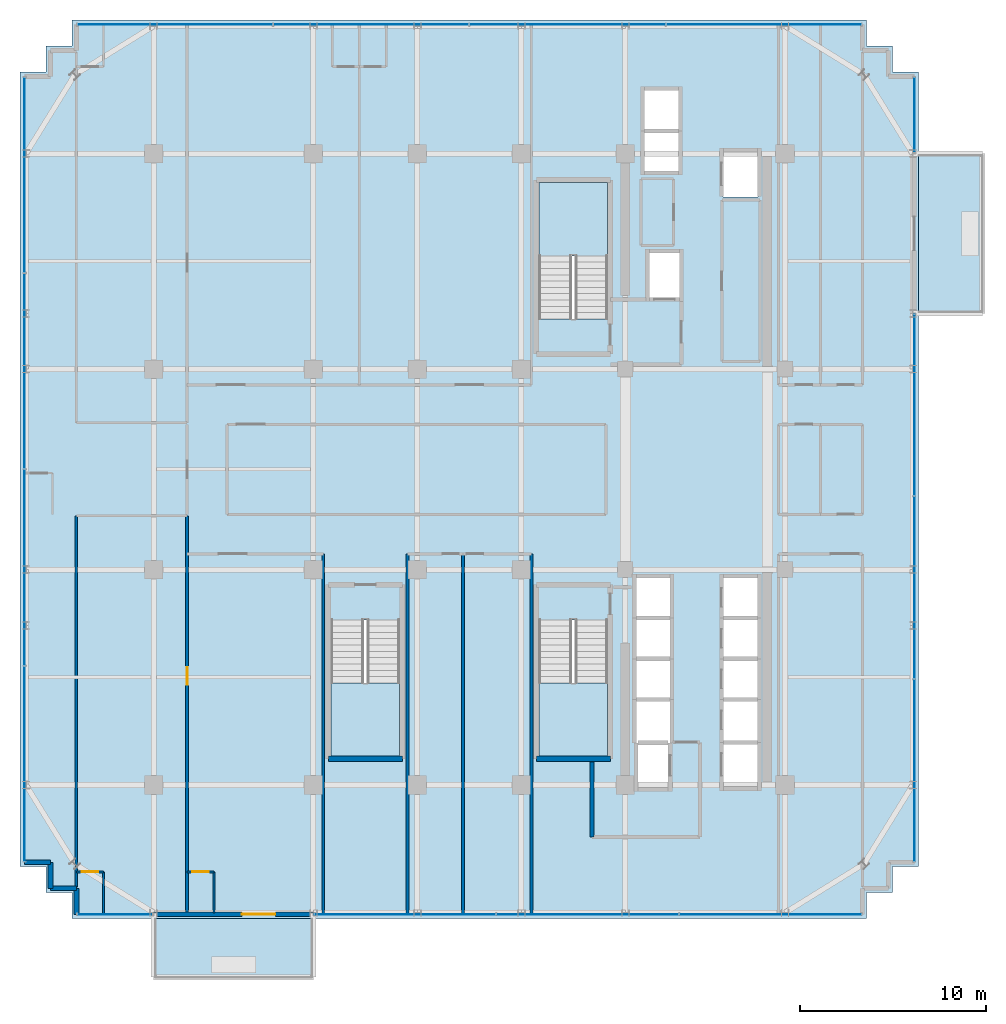
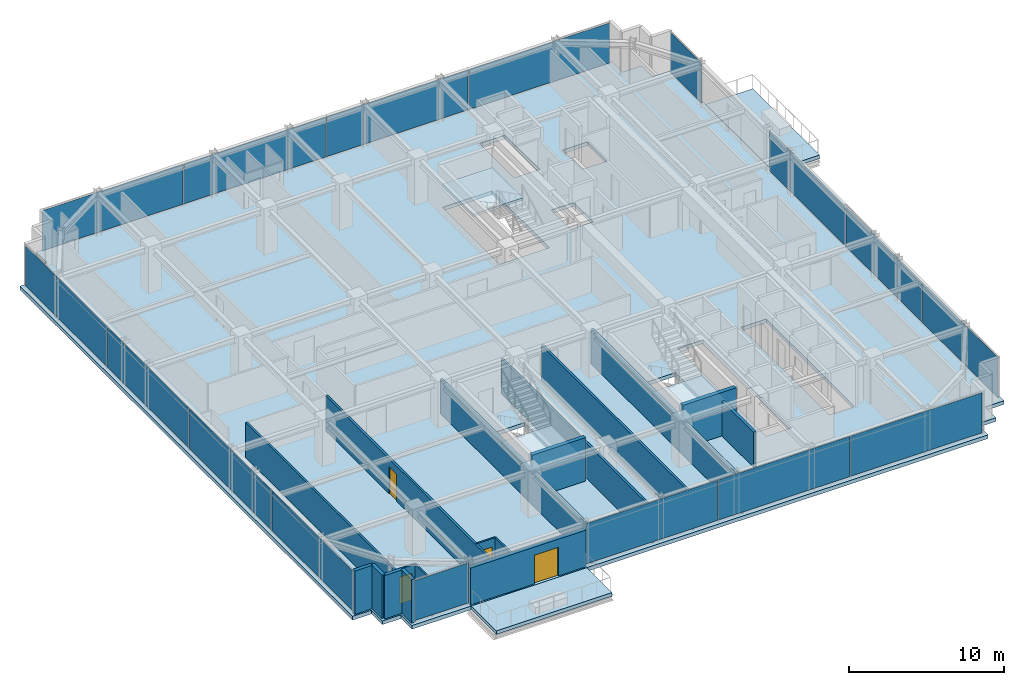
# One storey, part 27 of 34: 18 walls, 16 plates, 6 slabs, 4 doors, 4 openings, 9 elements without a shape of their own.
"""IFC4 building model written with IfcOpenShell, lengths in metres."""

import ifcopenshell
import ifcopenshell.guid

model = None  # the IFC model being written
_history = None  # IfcOwnerHistory: only IFC2X3 demands one
_inside = {}  # id of a spatial element -> (the spatial element, [elements in it])
_under = {}  # id of a project, library or spatial element -> (it, [spatial elements below it])
_declared = {}  # id of a project -> (the project, [libraries it declares])
_typed = {}  # id of a type object -> (the type object, [elements of that type])
_made_of = {}  # id of a material, layer set ... -> (it, [elements and type objects made of it])


def new_model(schema):
    """Start an empty IFC model of exactly this schema.

    Asked for "IFC4X3", IfcOpenShell would pick the latest addendum, in which some entities
    have other attributes; the version numbers below select the first issue.
    IFC2X3 requires an IfcOwnerHistory on every rooted entity: one is made here for all.
    """
    global model, _history
    if schema == "IFC4X3":
        model = ifcopenshell.file(schema_version=(4, 3, 0, 0))
    else:
        model = ifcopenshell.file(schema=schema)
    _inside.clear()
    _under.clear()
    _declared.clear()
    _typed.clear()
    _made_of.clear()
    _history = None
    if model.schema == "IFC2X3":
        org = make("IfcOrganization", Name="unknown")
        user = make(
            "IfcPersonAndOrganization",
            ThePerson=make("IfcPerson", FamilyName="unknown"),
            TheOrganization=org,
        )
        app = make(
            "IfcApplication",
            ApplicationDeveloper=org,
            Version="unknown",
            ApplicationFullName="unknown",
            ApplicationIdentifier="unknown",
        )
        _history = make(
            "IfcOwnerHistory",
            OwningUser=user,
            OwningApplication=app,
            ChangeAction="ADDED",
            CreationDate=0,
        )
    return model


def make(cls, **values):
    """One entity of the class cls with the attributes given. An attribute that is None is left unset."""
    return model.create_entity(
        cls, **{name: value for name, value in values.items() if value is not None}
    )


def rooted(cls, **values):
    """An entity with a GlobalId (a new one), such as an element, a storey or a relation."""
    return make(cls, GlobalId=ifcopenshell.guid.new(), OwnerHistory=_history, **values)


def si_unit(unit_type, name, prefix=None):
    """IfcSIUnit, for example si_unit("LENGTHUNIT", "METRE", prefix="MILLI")."""
    return make("IfcSIUnit", UnitType=unit_type, Prefix=prefix, Name=name)


def assignment(units):
    """IfcUnitAssignment: the units of a project."""
    return None if units is None else make("IfcUnitAssignment", Units=units)


def point(xyz):
    """IfcCartesianPoint."""
    return None if xyz is None else make("IfcCartesianPoint", Coordinates=xyz)


def direction(xyz):
    """IfcDirection."""
    return None if xyz is None else make("IfcDirection", DirectionRatios=xyz)


def frame(location, z_axis=None, x_axis=None):
    """IfcAxis2Placement3D, a coordinate frame: its origin and axes. An axis left out is left unset."""
    return make(
        "IfcAxis2Placement3D",
        Location=point(location),
        Axis=direction(z_axis),
        RefDirection=direction(x_axis),
    )


def frame_2d(location, x_axis=None):
    """IfcAxis2Placement2D, a coordinate frame in the plane: its origin and x axis."""
    return make(
        "IfcAxis2Placement2D", Location=point(location), RefDirection=direction(x_axis)
    )


def origin():
    """The frame at (0, 0, 0) with its axes left unset."""
    return frame((0.0, 0.0, 0.0))


def origin_2d():
    """The frame at (0, 0) in the plane with its x axis left unset."""
    return frame_2d((0.0, 0.0))


def place(relative_to, where):
    """IfcLocalPlacement: puts the frame where relative to a parent placement (None: the world)."""
    return make(
        "IfcLocalPlacement", PlacementRelTo=relative_to, RelativePlacement=where
    )


def context(
    kind, dimensions, precision=None, world=None, true_north=None, identifier=None
):
    """IfcGeometricRepresentationContext, for example the 3D "Model" context."""
    return make(
        "IfcGeometricRepresentationContext",
        ContextIdentifier=identifier,
        ContextType=kind,
        CoordinateSpaceDimension=dimensions,
        Precision=precision,
        WorldCoordinateSystem=world,
        TrueNorth=true_north,
    )


def subcontext(parent, identifier, kind, view, scale=None):
    """IfcGeometricRepresentationSubContext, for example "Body" below "Model"."""
    return make(
        "IfcGeometricRepresentationSubContext",
        ContextIdentifier=identifier,
        ContextType=kind,
        ParentContext=parent,
        TargetScale=scale,
        TargetView=view,
    )


def project(units=None, contexts=None):
    """IfcProject with its units and contexts."""
    return rooted(
        "IfcProject",
        Name="project",
        RepresentationContexts=contexts,
        UnitsInContext=assignment(units),
    )


def spatial(cls, under=None, at=None, **own):
    """A site, building, storey or space (cls), placed at a placement, below another one or the project."""
    s = rooted(cls, ObjectPlacement=at, **own)
    if under is not None:
        _under.setdefault(under.id(), (under, []))[1].append(s)
    return s


def polyline(points):
    """IfcPolyline through the points."""
    return make("IfcPolyline", Points=[point(p) for p in points])


def profile(cls, at=None, kind="AREA", **sizes):
    """A parametric profile (cls). Its sizes go by their IFC names, for example OverallWidth=200.0."""
    return make(cls, ProfileType=kind, Position=at, **sizes)


def rectangle(**sizes):
    """IfcRectangleProfileDef."""
    return profile("IfcRectangleProfileDef", **sizes)


def outline(outer, holes=None, kind="AREA"):
    """IfcArbitraryClosedProfileDef: a profile drawn as a closed curve; with holes, ...WithVoids."""
    if holes is None:
        return make("IfcArbitraryClosedProfileDef", ProfileType=kind, OuterCurve=outer)
    return make(
        "IfcArbitraryProfileDefWithVoids",
        ProfileType=kind,
        OuterCurve=outer,
        InnerCurves=holes,
    )


def extrude(swept, where, along, depth):
    """IfcExtrudedAreaSolid: the profile swept, set in the frame where, extruded along a direction by depth."""
    return make(
        "IfcExtrudedAreaSolid",
        SweptArea=swept,
        Position=where,
        ExtrudedDirection=direction(along),
        Depth=depth,
    )


def shape(context_of_items, identifier, shape_type, items):
    """IfcShapeRepresentation: the items that make up one representation, for example the "Body"."""
    return make(
        "IfcShapeRepresentation",
        ContextOfItems=context_of_items,
        RepresentationIdentifier=identifier,
        RepresentationType=shape_type,
        Items=items,
    )


def source(mapping_origin, context_of_items, identifier, shape_type, items):
    """IfcRepresentationMap: a shape defined once, which mapped items show again and again."""
    return make(
        "IfcRepresentationMap",
        MappingOrigin=mapping_origin,
        MappedRepresentation=shape(context_of_items, identifier, shape_type, items),
    )


def transform(
    local_origin,
    x_axis=None,
    y_axis=None,
    z_axis=None,
    scale=None,
    scale2=None,
    scale3=None,
    uniform=True,
):
    """IfcCartesianTransformationOperator3D, or its non-uniform kind. x_axis, y_axis, z_axis: its Axis1, 2, 3."""
    if uniform:
        return make(
            "IfcCartesianTransformationOperator3D",
            Axis1=direction(x_axis),
            Axis2=direction(y_axis),
            LocalOrigin=point(local_origin),
            Scale=scale,
            Axis3=direction(z_axis),
        )
    return make(
        "IfcCartesianTransformationOperator3DnonUniform",
        Axis1=direction(x_axis),
        Axis2=direction(y_axis),
        LocalOrigin=point(local_origin),
        Scale=scale,
        Axis3=direction(z_axis),
        Scale2=scale2,
        Scale3=scale3,
    )


def mapped(mapping_source, mapping_target):
    """IfcMappedItem: shows the shape of a source again, moved by a transform."""
    return make(
        "IfcMappedItem", MappingSource=mapping_source, MappingTarget=mapping_target
    )


def material(Name=None, Category=None):
    """IfcMaterial."""
    return make("IfcMaterial", Name=Name, Category=Category)


def layer(
    of_material, thickness, ventilated=None, Name=None, Category=None, Priority=None
):
    """IfcMaterialLayer: one layer of a wall or slab, of a material (None: an air gap)."""
    return make(
        "IfcMaterialLayer",
        Material=of_material,
        LayerThickness=thickness,
        IsVentilated=ventilated,
        Name=Name,
        Category=Category,
        Priority=Priority,
    )


def layer_set(layers, Name=None):
    """IfcMaterialLayerSet."""
    return make("IfcMaterialLayerSet", MaterialLayers=layers, LayerSetName=Name)


def made_of(thing, what):
    """Note that an element or type object is made of a material, layer set ...; save() writes the relation."""
    if what is not None:
        _made_of.setdefault(what.id(), (what, []))[1].append(thing)
    return thing


def type_object(cls, material=None, **own):
    """A type object (cls), such as IfcWallType, which elements share."""
    return made_of(rooted(cls, **own), material)


def element(
    cls,
    number,
    at=None,
    inside=None,
    cuts=None,
    type_object=None,
    material=None,
    context=None,
    identifier="Body",
    shape_type=None,
    held_by="IfcProductDefinitionShape",
    body=None,
    shapes=None,
    **own,
):
    """One element of the class cls, such as IfcWall. Its Tag is "e" and its number.

    at: its placement. inside: the storey or other place that contains it. cuts: it is an
    opening in that element (IfcRelVoidsElement). A single representation is given by context,
    identifier, shape_type and body (its items); several are given by shapes. held_by: the class
    of the entity that holds the representations. save() writes the other relations.
    """
    e = rooted(cls, Tag="e%d" % number, ObjectPlacement=at, **own)
    if body is not None:
        shapes = [shape(context, identifier, shape_type, body)]
    if shapes is not None:
        e.Representation = make(held_by, Representations=shapes)
    if inside is not None:
        _inside.setdefault(inside.id(), (inside, []))[1].append(e)
    if cuts is not None:
        rooted(
            "IfcRelVoidsElement", RelatingBuildingElement=cuts, RelatedOpeningElement=e
        )
    if type_object is not None:
        _typed.setdefault(type_object.id(), (type_object, []))[1].append(e)
    return made_of(e, material)


def fill(opening, filler):
    """IfcRelFillsElement: the door or window that sits in an opening."""
    return rooted(
        "IfcRelFillsElement",
        RelatingOpeningElement=opening,
        RelatedBuildingElement=filler,
    )


def aggregate(whole, parts):
    """IfcRelAggregates: a whole, such as a stair, and the parts it consists of."""
    return rooted("IfcRelAggregates", RelatingObject=whole, RelatedObjects=parts)


def save(model, path):
    """Write the relations noted so far, then the file.

    IfcRelAggregates (storeys below a building ...), IfcRelContainedInSpatialStructure (elements
    in a storey), IfcRelDefinesByType, IfcRelAssociatesMaterial and IfcRelDeclares: one each for
    every whole, place, type object, material and project.
    """
    for whole, parts in _under.values():
        aggregate(whole, parts)
    for where, things in _inside.values():
        rooted(
            "IfcRelContainedInSpatialStructure",
            RelatedElements=things,
            RelatingStructure=where,
        )
    for kind, things in _typed.values():
        rooted("IfcRelDefinesByType", RelatedObjects=things, RelatingType=kind)
    for what, things in _made_of.values():
        rooted("IfcRelAssociatesMaterial", RelatedObjects=things, RelatingMaterial=what)
    for by, libraries in _declared.values():
        rooted("IfcRelDeclares", RelatingContext=by, RelatedDefinitions=libraries)
    model.write(path)


model = new_model("IFC4")

# Units and contexts
model_context = context("Model", 3, precision=1e-05, world=origin(), true_north=direction((0.0, 1.0)))
body_context = subcontext(model_context, "Body", "Model", "MODEL_VIEW")
ifc_project = project(units=[si_unit("LENGTHUNIT", "METRE"), si_unit("AREAUNIT", "SQUARE_METRE"), si_unit("VOLUMEUNIT", "CUBIC_METRE"), si_unit("PLANEANGLEUNIT", "RADIAN"), si_unit("MASSUNIT", "GRAM", prefix="KILO")], contexts=[model_context])

# Site, building, storey
site_placement = place(None, origin())
site = spatial("IfcSite", under=ifc_project, at=site_placement, CompositionType="ELEMENT")
building_placement = place(site_placement, origin())
building = spatial("IfcBuilding", under=site, at=building_placement, Name="Nahalor Promenade Grand Hotel", CompositionType="ELEMENT")
storey_placement = place(building_placement, frame((0.0, 0.0, 238.199951171875)))
storey = spatial("IfcBuildingStorey", under=building, at=storey_placement, Name="L61", CompositionType="ELEMENT", Elevation=238.199951171875)

# Stair, slab
ifc_material_1 = material(Name="Concrete B-50 (C40/50)", Category="concrete")
stair_type_1 = type_object("IfcStairType", Name="Stair-ST1", PredefinedType="HALF_TURN_STAIR", material=ifc_material_1)
stair_1_placement = place(storey_placement, origin())
stair_1 = element("IfcStair", 1, at=stair_1_placement, inside=storey, type_object=stair_type_1, Name="L61 ST1", PredefinedType="HALF_TURN_STAIR")
ifc_layer_1 = layer(ifc_material_1, 0.199951171875)
ifc_layer_set_1 = layer_set([ifc_layer_1], Name="Concrete B-50 (C40/50)")
slab_type_1 = type_object("IfcSlabType", Name="Landing-ST1", PredefinedType="LANDING", material=ifc_layer_set_1)
slab_1_placement = place(storey_placement, frame((0.0, 0.0, 1.650146484375)))
slab_1 = element("IfcSlab", 2, at=slab_1_placement, type_object=slab_type_1, Name="ST1 landing 1", PredefinedType="LANDING", context=body_context, shape_type="SweptSolid", body=[
    extrude(outline(polyline([(7.449951171875, 11.5), (7.449951171875, 15.449951171875), (3.75, 15.449951171875), (3.75, 11.5), (7.449951171875, 11.5)])), origin(), (0.0, 0.0, 1.0), 0.199951171875),
])
aggregate(stair_1, [slab_1])

stair_type_2 = type_object("IfcStairType", Name="Stair-ST2", PredefinedType="HALF_TURN_STAIR", material=ifc_material_1)
stair_2_placement = place(storey_placement, origin())
stair_2 = element("IfcStair", 3, at=stair_2_placement, inside=storey, type_object=stair_type_2, Name="L61 ST2", PredefinedType="HALF_TURN_STAIR")
ifc_layer_2 = layer(ifc_material_1, 0.2099609375)
ifc_layer_set_2 = layer_set([ifc_layer_2], Name="Concrete B-50 (C40/50)")
slab_type_2 = type_object("IfcSlabType", Name="Landing-ST2", PredefinedType="LANDING", material=ifc_layer_set_2)
slab_2_placement = place(storey_placement, frame((0.0, 0.0, 1.64013671875)))
slab_2 = element("IfcSlab", 4, at=slab_2_placement, type_object=slab_type_2, Name="ST2 landing 1", PredefinedType="LANDING", context=body_context, shape_type="SweptSolid", body=[
    extrude(outline(polyline([(3.75, -11.5), (3.75, -15.449951171875), (7.449951171875, -15.449951171875), (7.449951171875, -11.5), (3.75, -11.5)])), origin(), (0.0, 0.0, 1.0), 0.2099609375),
])
aggregate(stair_2, [slab_2])

stair_type_3 = type_object("IfcStairType", Name="Stair-ST3", PredefinedType="HALF_TURN_STAIR", material=ifc_material_1)
stair_3_placement = place(storey_placement, origin())
stair_3 = element("IfcStair", 5, at=stair_3_placement, inside=storey, type_object=stair_type_3, Name="L61 ST3", PredefinedType="HALF_TURN_STAIR")
ifc_layer_3 = layer(ifc_material_1, 0.219970703125)
ifc_layer_set_3 = layer_set([ifc_layer_3], Name="Concrete B-50 (C40/50)")
slab_type_3 = type_object("IfcSlabType", Name="Landing-ST3", PredefinedType="LANDING", material=ifc_layer_set_3)
slab_3_placement = place(storey_placement, frame((0.0, 0.0, 1.630126953125)))
slab_3 = element("IfcSlab", 6, at=slab_3_placement, type_object=slab_type_3, Name="ST3 landing 1", PredefinedType="LANDING", context=body_context, shape_type="SweptSolid", body=[
    extrude(outline(polyline([(-7.449951171875, -11.5), (-7.449951171875, -15.449951171875), (-3.75, -15.449951171875), (-3.75, -11.5), (-7.449951171875, -11.5)])), origin(), (0.0, 0.0, 1.0), 0.219970703125),
])
aggregate(stair_3, [slab_3])

# Slabs
ifc_layer_4 = layer(ifc_material_1, 0.280029296875)
ifc_layer_set_4 = layer_set([ifc_layer_4], Name="Concrete B-50 (C40/50)")
slab_type_4 = type_object("IfcSlabType", Name="Slab-Balcony-280", PredefinedType="FLOOR", material=ifc_layer_set_4)
slab_4_placement = place(storey_placement, frame((0.0, 0.0, -0.280029296875)))
element("IfcSlab", 7, at=slab_4_placement, inside=storey, type_object=slab_type_4, Name="L61 Cantilevered Planted Balcony 1", PredefinedType="FLOOR", context=body_context, shape_type="SweptSolid", body=[
    extrude(outline(polyline([(-17.0, -27.429931640625), (-8.39990234375, -27.429931640625), (-8.39990234375, -24.199951171875), (-17.0, -24.199951171875), (-17.0, -27.429931640625)])), origin(), (0.0, 0.0, 1.0), 0.280029296875),
])
slab_5_placement = place(storey_placement, frame((0.0, 0.0, -0.280029296875)))
element("IfcSlab", 8, at=slab_5_placement, inside=storey, type_object=slab_type_4, Name="L61 Cantilevered Planted Balcony 2", PredefinedType="FLOOR", context=body_context, shape_type="SweptSolid", body=[
    extrude(outline(polyline([(24.199951171875, 8.39990234375), (27.7099609375, 8.39990234375), (27.7099609375, 17.0), (24.199951171875, 17.0), (24.199951171875, 8.39990234375)])), origin(), (0.0, 0.0, 1.0), 0.280029296875),
])
ifc_layer_5 = layer(ifc_material_1, 0.2900390625)
ifc_layer_set_5 = layer_set([ifc_layer_5], Name="Concrete B-50 (C40/50)")
slab_type_5 = type_object("IfcSlabType", Name="Slab-TowerZ4-290", PredefinedType="FLOOR", material=ifc_layer_set_5)
slab_6_placement = place(storey_placement, frame((0.0, 0.0, -0.2900390625)))
element("IfcSlab", 9, at=slab_6_placement, inside=storey, type_object=slab_type_5, Name="L61 Suspended Structural Floor Slab", PredefinedType="FLOOR", context=body_context, shape_type="SweptSolid", body=[
    extrude(outline(polyline([(-21.39990234375, -24.199951171875), (21.39990234375, -24.199951171875), (21.39990234375, -22.800048828125), (22.800048828125, -22.800048828125), (22.800048828125, -21.39990234375), (24.199951171875, -21.39990234375), (24.199951171875, 21.39990234375), (22.800048828125, 21.39990234375), (22.800048828125, 22.800048828125), (21.39990234375, 22.800048828125), (21.39990234375, 24.199951171875), (-21.39990234375, 24.199951171875), (-21.39990234375, 22.800048828125), (-22.800048828125, 22.800048828125), (-22.800048828125, 21.39990234375), (-24.199951171875, 21.39990234375), (-24.199951171875, -21.39990234375), (-22.800048828125, -21.39990234375), (-22.800048828125, -22.800048828125), (-21.39990234375, -22.800048828125), (-21.39990234375, -24.199951171875)]), holes=[polyline([(3.75, 8.10009765625), (7.449951171875, 8.10009765625), (7.449951171875, 15.449951171875), (3.75, 15.449951171875), (3.75, 8.10009765625)]), polyline([(3.75, -15.449951171875), (7.449951171875, -15.449951171875), (7.449951171875, -8.10009765625), (3.75, -8.10009765625), (3.75, -15.449951171875)]), polyline([(-7.449951171875, -15.449951171875), (-3.75, -15.449951171875), (-3.75, -8.10009765625), (-7.449951171875, -8.10009765625), (-7.449951171875, -15.449951171875)]), polyline([(13.659912109375, -17.139892578125), (15.5400390625, -17.139892578125), (15.5400390625, -5.81005859375), (13.659912109375, -5.81005859375), (13.659912109375, -17.139892578125)]), polyline([(8.9599609375, -17.18994140625), (10.840087890625, -17.18994140625), (10.840087890625, -5.81005859375), (8.9599609375, -5.81005859375), (8.9599609375, -17.18994140625)]), polyline([(9.409912109375, 16.010009765625), (11.2900390625, 16.010009765625), (11.2900390625, 20.43994140625), (9.409912109375, 20.43994140625), (9.409912109375, 16.010009765625)]), polyline([(9.659912109375, 9.2099609375), (11.340087890625, 9.2099609375), (11.340087890625, 11.68994140625), (9.659912109375, 11.68994140625), (9.659912109375, 9.2099609375)]), polyline([(13.659912109375, 14.659912109375), (15.5400390625, 14.659912109375), (15.5400390625, 17.139892578125), (13.659912109375, 17.139892578125), (13.659912109375, 14.659912109375)])]), origin(), (0.0, 0.0, 1.0), 0.2900390625),
])

# Curtain wall, plates
ifc_material_2 = material(Name="Anodised Bronze Aluminium EN AW-6063 T6", Category="aluminium")
curtain_wall_type = type_object("IfcCurtainWallType", Name="CW2 Typical Hotel Flush Bronze Unitised Curtain Wall", PredefinedType="USERDEFINED", material=ifc_material_2)
curtain_wall_1_placement = place(storey_placement, origin())
curtain_wall_1 = element("IfcCurtainWall", 10, at=curtain_wall_1_placement, inside=storey, type_object=curtain_wall_type, Name="L61 Curtain Wall CW-L61-N-1", ObjectType="UNITISED_CURTAIN_WALL", PredefinedType="USERDEFINED")
ifc_material_3 = material(Name="Low-E Laminated Solar Glass", Category="glass")
ifc_layer_6 = layer(ifc_material_3, 0.028076171875)
ifc_layer_set_6 = layer_set([ifc_layer_6], Name="Low-E Laminated Solar Glass")
plate_type = type_object("IfcPlateType", Name="CWP2 Bronze Low-E Vision IGU 28mm", PredefinedType="CURTAIN_PANEL", material=ifc_layer_set_6)
shared_shape_1 = source(origin(), body_context, "Body", "SweptSolid", [
    extrude(rectangle(XDim=10.482421875, YDim=0.028076171875, at=origin_2d()), origin(), (0.0, 0.0, 1.0), 3.14990234375),
])
plate_1_placement = place(storey_placement, frame((-15.853759765625, 23.9599609375, 0.130126953125), z_axis=(0.0, 0.0, 1.0), x_axis=(1.0, 0.0, 0.0)))
plate_1 = element("IfcPlate", 11, at=plate_1_placement, type_object=plate_type, Name="CW-L61-N-1 Glazing Panel 0-0", PredefinedType="CURTAIN_PANEL", context=body_context, shape_type="MappedRepresentation", body=[
    mapped(shared_shape_1, transform((0.0, 0.0, 0.0), scale=1.0)),
])
plate_2_placement = place(storey_placement, frame((15.853759765625, 23.9599609375, 0.130126953125), z_axis=(0.0, 0.0, 1.0), x_axis=(1.0, 0.0, 0.0)))
plate_2 = element("IfcPlate", 12, at=plate_2_placement, type_object=plate_type, Name="CW-L61-N-1 Glazing Panel 3-0", PredefinedType="CURTAIN_PANEL", context=body_context, shape_type="MappedRepresentation", body=[
    mapped(shared_shape_1, transform((0.0, 0.0, 0.0), scale=1.0)),
])

curtain_wall_2_placement = place(storey_placement, origin())
curtain_wall_2 = element("IfcCurtainWall", 13, at=curtain_wall_2_placement, inside=storey, type_object=curtain_wall_type, Name="L61 Curtain Wall CW-L61-W-1", ObjectType="UNITISED_CURTAIN_WALL", PredefinedType="USERDEFINED")
plate_3_placement = place(storey_placement, frame((-23.9599609375, -15.853759765625, 0.130126953125), z_axis=(0.0, 0.0, 1.0), x_axis=(0.0, 1.0, 0.0)))
plate_3 = element("IfcPlate", 14, at=plate_3_placement, type_object=plate_type, Name="CW-L61-W-1 Glazing Panel 0-0", PredefinedType="CURTAIN_PANEL", context=body_context, shape_type="MappedRepresentation", body=[
    mapped(shared_shape_1, transform((0.0, 0.0, 0.0), scale=1.0)),
])
plate_4_placement = place(storey_placement, frame((-23.9599609375, 15.853759765625, 0.130126953125), z_axis=(0.0, 0.0, 1.0), x_axis=(0.0, 1.0, 0.0)))
plate_4 = element("IfcPlate", 15, at=plate_4_placement, type_object=plate_type, Name="CW-L61-W-1 Glazing Panel 3-0", PredefinedType="CURTAIN_PANEL", context=body_context, shape_type="MappedRepresentation", body=[
    mapped(shared_shape_1, transform((0.0, 0.0, 0.0), scale=1.0)),
])

# Plate
shared_shape_2 = source(origin(), body_context, "Body", "SweptSolid", [
    extrude(rectangle(XDim=10.514892578125, YDim=0.028076171875, at=origin_2d()), origin(), (0.0, 0.0, 1.0), 3.14990234375),
])
plate_5_placement = place(storey_placement, frame((-5.2900390625, 23.9599609375, 0.130126953125), z_axis=(0.0, 0.0, 1.0), x_axis=(1.0, 0.0, 0.0)))
plate_5 = element("IfcPlate", 16, at=plate_5_placement, type_object=plate_type, Name="CW-L61-N-1 Glazing Panel 1-0", PredefinedType="CURTAIN_PANEL", context=body_context, shape_type="MappedRepresentation", body=[
    mapped(shared_shape_2, transform((0.0, 0.0, 0.0), scale=1.0)),
])

plate_6_placement = place(storey_placement, frame((5.2900390625, 23.9599609375, 0.130126953125), z_axis=(0.0, 0.0, 1.0), x_axis=(1.0, 0.0, 0.0)))
plate_6 = element("IfcPlate", 17, at=plate_6_placement, type_object=plate_type, Name="CW-L61-N-1 Glazing Panel 2-0", PredefinedType="CURTAIN_PANEL", context=body_context, shape_type="MappedRepresentation", body=[
    mapped(shared_shape_2, transform((0.0, 0.0, 0.0), scale=1.0)),
])

aggregate(curtain_wall_1, [plate_1, plate_5, plate_6, plate_2])

plate_7_placement = place(storey_placement, frame((-23.9599609375, -5.2900390625, 0.130126953125), z_axis=(0.0, 0.0, 1.0), x_axis=(0.0, 1.0, 0.0)))
plate_7 = element("IfcPlate", 18, at=plate_7_placement, type_object=plate_type, Name="CW-L61-W-1 Glazing Panel 1-0", PredefinedType="CURTAIN_PANEL", context=body_context, shape_type="MappedRepresentation", body=[
    mapped(shared_shape_2, transform((0.0, 0.0, 0.0), scale=1.0)),
])

plate_8_placement = place(storey_placement, frame((-23.9599609375, 5.2900390625, 0.130126953125), z_axis=(0.0, 0.0, 1.0), x_axis=(0.0, 1.0, 0.0)))
plate_8 = element("IfcPlate", 19, at=plate_8_placement, type_object=plate_type, Name="CW-L61-W-1 Glazing Panel 2-0", PredefinedType="CURTAIN_PANEL", context=body_context, shape_type="MappedRepresentation", body=[
    mapped(shared_shape_2, transform((0.0, 0.0, 0.0), scale=1.0)),
])

aggregate(curtain_wall_2, [plate_3, plate_7, plate_8, plate_4])

# Curtain wall, plate
curtain_wall_3_placement = place(storey_placement, origin())
curtain_wall_3 = element("IfcCurtainWall", 20, at=curtain_wall_3_placement, inside=storey, type_object=curtain_wall_type, Name="L61 Curtain Wall CW-L61-S-1", ObjectType="UNITISED_CURTAIN_WALL", PredefinedType="USERDEFINED")
shared_shape_3 = source(origin(), body_context, "Body", "SweptSolid", [
    extrude(rectangle(XDim=4.030029296875, YDim=0.028076171875, at=origin_2d()), origin(), (0.0, 0.0, 1.0), 3.14990234375),
])
plate_9_placement = place(storey_placement, frame((-19.080078125, -23.9599609375, 0.130126953125), z_axis=(0.0, 0.0, 1.0), x_axis=(1.0, 0.0, 0.0)))
plate_9 = element("IfcPlate", 21, at=plate_9_placement, type_object=plate_type, Name="CW-L61-S-1 Glazing Panel 0-0", PredefinedType="CURTAIN_PANEL", context=body_context, shape_type="MappedRepresentation", body=[
    mapped(shared_shape_3, transform((0.0, 0.0, 0.0), scale=1.0)),
])
aggregate(curtain_wall_3, [plate_9])

curtain_wall_4_placement = place(storey_placement, origin())
curtain_wall_4 = element("IfcCurtainWall", 22, at=curtain_wall_4_placement, inside=storey, type_object=curtain_wall_type, Name="L61 Curtain Wall CW-L61-E-3", ObjectType="UNITISED_CURTAIN_WALL", PredefinedType="USERDEFINED")
plate_10_placement = place(storey_placement, frame((23.9599609375, 19.080078125, 0.130126953125), z_axis=(0.0, 0.0, 1.0), x_axis=(0.0, 1.0, 0.0)))
plate_10 = element("IfcPlate", 23, at=plate_10_placement, type_object=plate_type, Name="CW-L61-E-3 Glazing Panel 0-0", PredefinedType="CURTAIN_PANEL", context=body_context, shape_type="MappedRepresentation", body=[
    mapped(shared_shape_3, transform((0.0, 0.0, 0.0), scale=1.0)),
])
aggregate(curtain_wall_4, [plate_10])

# Curtain wall, plates
curtain_wall_5_placement = place(storey_placement, origin())
curtain_wall_5 = element("IfcCurtainWall", 24, at=curtain_wall_5_placement, inside=storey, type_object=curtain_wall_type, Name="L61 Curtain Wall CW-L61-S-3", ObjectType="UNITISED_CURTAIN_WALL", PredefinedType="USERDEFINED")
shared_shape_4 = source(origin(), body_context, "Body", "SweptSolid", [
    extrude(rectangle(XDim=9.755859375, YDim=0.028076171875, at=origin_2d()), origin(), (0.0, 0.0, 1.0), 3.14990234375),
])
plate_11_placement = place(storey_placement, frame((-3.45703125, -23.9599609375, 0.130126953125), z_axis=(0.0, 0.0, 1.0), x_axis=(1.0, 0.0, 0.0)))
plate_11 = element("IfcPlate", 25, at=plate_11_placement, type_object=plate_type, Name="CW-L61-S-3 Glazing Panel 0-0", PredefinedType="CURTAIN_PANEL", context=body_context, shape_type="MappedRepresentation", body=[
    mapped(shared_shape_4, transform((0.0, 0.0, 0.0), scale=1.0)),
])
plate_12_placement = place(storey_placement, frame((16.217041015625, -23.9599609375, 0.130126953125), z_axis=(0.0, 0.0, 1.0), x_axis=(1.0, 0.0, 0.0)))
plate_12 = element("IfcPlate", 26, at=plate_12_placement, type_object=plate_type, Name="CW-L61-S-3 Glazing Panel 2-0", PredefinedType="CURTAIN_PANEL", context=body_context, shape_type="MappedRepresentation", body=[
    mapped(shared_shape_4, transform((0.0, 0.0, 0.0), scale=1.0)),
])

curtain_wall_6_placement = place(storey_placement, origin())
curtain_wall_6 = element("IfcCurtainWall", 27, at=curtain_wall_6_placement, inside=storey, type_object=curtain_wall_type, Name="L61 Curtain Wall CW-L61-E-1", ObjectType="UNITISED_CURTAIN_WALL", PredefinedType="USERDEFINED")
plate_13_placement = place(storey_placement, frame((23.9599609375, -16.217041015625, 0.130126953125), z_axis=(0.0, 0.0, 1.0), x_axis=(0.0, 1.0, 0.0)))
plate_13 = element("IfcPlate", 28, at=plate_13_placement, type_object=plate_type, Name="CW-L61-E-1 Glazing Panel 0-0", PredefinedType="CURTAIN_PANEL", context=body_context, shape_type="MappedRepresentation", body=[
    mapped(shared_shape_4, transform((0.0, 0.0, 0.0), scale=1.0)),
])
plate_14_placement = place(storey_placement, frame((23.9599609375, 3.45703125, 0.130126953125), z_axis=(0.0, 0.0, 1.0), x_axis=(0.0, 1.0, 0.0)))
plate_14 = element("IfcPlate", 29, at=plate_14_placement, type_object=plate_type, Name="CW-L61-E-1 Glazing Panel 2-0", PredefinedType="CURTAIN_PANEL", context=body_context, shape_type="MappedRepresentation", body=[
    mapped(shared_shape_4, transform((0.0, 0.0, 0.0), scale=1.0)),
])

# Plate
shared_shape_5 = source(origin(), body_context, "Body", "SweptSolid", [
    extrude(rectangle(XDim=9.788330078125, YDim=0.028076171875, at=origin_2d()), origin(), (0.0, 0.0, 1.0), 3.14990234375),
])
plate_15_placement = place(storey_placement, frame((6.3798828125, -23.9599609375, 0.130126953125), z_axis=(0.0, 0.0, 1.0), x_axis=(1.0, 0.0, 0.0)))
plate_15 = element("IfcPlate", 30, at=plate_15_placement, type_object=plate_type, Name="CW-L61-S-3 Glazing Panel 1-0", PredefinedType="CURTAIN_PANEL", context=body_context, shape_type="MappedRepresentation", body=[
    mapped(shared_shape_5, transform((0.0, 0.0, 0.0), scale=1.0)),
])

aggregate(curtain_wall_5, [plate_11, plate_15, plate_12])

plate_16_placement = place(storey_placement, frame((23.9599609375, -6.3798828125, 0.130126953125), z_axis=(0.0, 0.0, 1.0), x_axis=(0.0, 1.0, 0.0)))
plate_16 = element("IfcPlate", 31, at=plate_16_placement, type_object=plate_type, Name="CW-L61-E-1 Glazing Panel 1-0", PredefinedType="CURTAIN_PANEL", context=body_context, shape_type="MappedRepresentation", body=[
    mapped(shared_shape_5, transform((0.0, 0.0, 0.0), scale=1.0)),
])

aggregate(curtain_wall_6, [plate_13, plate_16, plate_14])

# Walls
ifc_layer_7 = layer(ifc_material_1, 0.300048828125)
ifc_layer_set_7 = layer_set([ifc_layer_7], Name="Concrete B-50 (C40/50)")
wall_type_1 = type_object("IfcWallType", Name="Wall-ShaftShear-300", PredefinedType="SHEAR", material=ifc_layer_set_7)
shared_shape_6 = source(origin(), body_context, "Body", "SweptSolid", [
    extrude(rectangle(XDim=3.97998046875, YDim=0.300048828125, at=frame_2d((1.989990234375, 0.0))), origin(), (0.0, 0.0, 1.0), 3.41015625),
])
for number, where, z_axis, x_axis, name in (
    (32, (3.610107421875, -15.590087890625, 0.0), (0.0, 0.0, 1.0), (1.0, 0.0, 0.0), "L61 Exit Stair ST2 Shaft Wall S"),
    (33, (-7.590087890625, -15.590087890625, 0.0), (0.0, 0.0, 1.0), (1.0, 0.0, 0.0), "L61 Exit Stair ST3 Shaft Wall S"),
):
    element("IfcWall", number, at=place(storey_placement, frame(where, z_axis=z_axis, x_axis=x_axis)), inside=storey, type_object=wall_type_1, Name=name, PredefinedType="SHEAR", context=body_context, shape_type="MappedRepresentation", body=[
        mapped(shared_shape_6, transform((0.0, 0.0, 0.0), scale=1.0)),
    ])
ifc_material_4 = material(Name="Concrete B-40 (C32/40)", Category="concrete")
ifc_layer_8 = layer(ifc_material_4, 0.25)
ifc_layer_set_8 = layer_set([ifc_layer_8], Name="Concrete B-40 (C32/40)")
wall_type_2 = type_object("IfcWallType", Name="Wall-BronzePier-250", PredefinedType="STANDARD", material=ifc_layer_set_8)
shared_shape_7 = source(origin(), body_context, "Body", "SweptSolid", [
    extrude(rectangle(XDim=1.39990234375, YDim=0.25, at=frame_2d((0.699951171875, 0.0))), origin(), (0.0, 0.0, 1.0), 3.41015625),
])
for number, where, z_axis, x_axis, name in (
    (34, (-23.9599609375, -21.159912109375, 0.0), (0.0, 0.0, 1.0), (1.0, 0.0, 0.0), "W-L61-SR-13"),
    (35, (-21.159912109375, -23.9599609375, 0.0), (0.0, 0.0, 1.0), (0.0, 1.0, 0.0), "W-L61-SR-16"),
):
    element("IfcWall", number, at=place(storey_placement, frame(where, z_axis=z_axis, x_axis=x_axis)), inside=storey, type_object=wall_type_2, Name=name, PredefinedType="STANDARD", context=body_context, shape_type="MappedRepresentation", body=[
        mapped(shared_shape_7, transform((0.0, 0.0, 0.0), scale=1.0)),
    ])
shared_shape_8 = source(origin(), body_context, "Body", "SweptSolid", [
    extrude(rectangle(XDim=1.400146484375, YDim=0.25, at=frame_2d((0.7001953125, 0.0))), origin(), (0.0, 0.0, 1.0), 3.41015625),
])
for number, where, z_axis, x_axis, name in (
    (36, (-22.56005859375, -22.56005859375, 0.0), (0.0, 0.0, 1.0), (0.0, 1.0, 0.0), "W-L61-SR-14"),
    (37, (-22.56005859375, -22.56005859375, 0.0), (0.0, 0.0, 1.0), (1.0, 0.0, 0.0), "W-L61-SR-15"),
):
    element("IfcWall", number, at=place(storey_placement, frame(where, z_axis=z_axis, x_axis=x_axis)), inside=storey, type_object=wall_type_2, Name=name, PredefinedType="STANDARD", context=body_context, shape_type="MappedRepresentation", body=[
        mapped(shared_shape_8, transform((0.0, 0.0, 0.0), scale=1.0)),
    ])

# Wall, opening, door
ifc_layer_9 = layer(ifc_material_4, 0.260009765625)
ifc_layer_set_9 = layer_set([ifc_layer_9], Name="Concrete B-40 (C32/40)")
wall_type_3 = type_object("IfcWallType", Name="Wall-BalconyWall-260", PredefinedType="STANDARD", material=ifc_layer_set_9)
shared_shape_9 = source(origin(), body_context, "Body", "SweptSolid", [
    extrude(rectangle(XDim=8.60009765625, YDim=0.260009765625, at=frame_2d((4.300048828125, 0.0))), origin(), (0.0, 0.0, 1.0), 2.89013671875),
])
wall_1_placement = place(storey_placement, frame((-17.0, -23.9599609375, 0.0), z_axis=(0.0, 0.0, 1.0), x_axis=(1.0, 0.0, 0.0)))
wall_1 = element("IfcWall", 38, at=wall_1_placement, inside=storey, type_object=wall_type_3, Name="W-L61-BALC-S-2", PredefinedType="STANDARD", context=body_context, shape_type="MappedRepresentation", body=[
    mapped(shared_shape_9, transform((0.0, 0.0, 0.0), scale=1.0)),
])
opening_1_placement = place(wall_1_placement, frame((4.75, 0.0, 0.0)))
opening_1 = element("IfcOpeningElement", 39, at=opening_1_placement, cuts=wall_1, Name="Opening D-BC1", PredefinedType="OPENING", context=body_context, shape_type="SweptSolid", body=[
    extrude(rectangle(XDim=1.800048828125, YDim=2.25, at=frame_2d((0.89990234375, 1.125))), frame((0.0, 0.139892578125, 0.0), z_axis=(0.0, -1.0, 0.0), x_axis=(1.0, 0.0, 0.0)), (0.0, 0.0, 1.0), 0.280029296875),
])
door_type_1 = type_object("IfcDoorType", Name="Door-BalconySlide-1800", OperationType="DOUBLE_DOOR_SLIDING", PredefinedType="DOOR", material=ifc_material_2)
shared_shape_10 = source(origin(), body_context, "Body", "SweptSolid", [
    extrude(rectangle(XDim=1.800048828125, YDim=2.25, at=frame_2d((0.89990234375, 1.125))), frame((0.0, 0.02490234375, 0.0), z_axis=(0.0, -1.0, 0.0), x_axis=(1.0, 0.0, 0.0)), (0.0, 0.0, 1.0), 0.050048828125),
])
door_1_placement = place(opening_1_placement, frame((1.800048828125, 0.0, 0.0), z_axis=(0.0, 0.0, 1.0), x_axis=(-1.0, 0.0, 0.0)))
door_1 = element("IfcDoor", 40, at=door_1_placement, inside=storey, type_object=door_type_1, Name="DR-L61-BALC-S-2", OperationType="DOUBLE_DOOR_SLIDING", OverallHeight=2.25, OverallWidth=1.800048828125, PredefinedType="DOOR", context=body_context, shape_type="MappedRepresentation", body=[
    mapped(shared_shape_10, transform((0.0, 0.0, 0.0), scale=1.0)),
])
fill(opening_1, door_1)

# Walls
ifc_layer_10 = layer(ifc_material_4, 0.199951171875)
ifc_layer_set_10 = layer_set([ifc_layer_10], Name="Concrete B-40 (C32/40)")
wall_type_4 = type_object("IfcWallType", Name="Wall-PartFire-200", PredefinedType="PARTITIONING", material=ifc_layer_set_10)
shared_shape_11 = source(origin(), body_context, "Body", "SweptSolid", [
    extrude(rectangle(XDim=4.030029296875, YDim=0.199951171875, at=frame_2d((2.01513671875, 0.0))), origin(), (0.0, 0.0, 1.0), 2.75),
])
wall_2_placement = place(storey_placement, frame((6.60009765625, -19.800048828125, 0.0), z_axis=(0.0, 0.0, 1.0), x_axis=(0.0, 1.0, 0.0)))
element("IfcWall", 41, at=wall_2_placement, inside=storey, type_object=wall_type_4, Name="W-L61-FF2-W1", PredefinedType="PARTITIONING", context=body_context, shape_type="MappedRepresentation", body=[
    mapped(shared_shape_11, transform((0.0, 0.0, 0.0), scale=1.0)),
])
ifc_material_5 = material(Name="Acoustic Mineral Gypsum", Category="gypsum")
ifc_layer_11 = layer(ifc_material_5, 0.159912109375)
ifc_layer_set_11 = layer_set([ifc_layer_11], Name="Acoustic Mineral Gypsum")
wall_type_5 = type_object("IfcWallType", Name="Wall-PartCorridor-160", PredefinedType="PARTITIONING", material=ifc_layer_set_11)
shared_shape_12 = source(origin(), body_context, "Body", "SweptSolid", [
    extrude(rectangle(XDim=19.349853515625, YDim=0.159912109375, at=frame_2d((9.6748046875, 0.0))), origin(), (0.0, 0.0, 1.0), 2.75),
])
for number, where, z_axis, x_axis, name in (
    (42, (-3.340087890625, -23.89990234375, 0.0), (0.0, 0.0, 1.0), (0.0, 1.0, 0.0), "W-L61-SCB1-W"),
    (43, (-0.35009765625, -23.89990234375, 0.0), (0.0, 0.0, 1.0), (0.0, 1.0, 0.0), "W-L61-SCB1-E"),
    (44, (3.340087890625, -23.89990234375, 0.0), (0.0, 0.0, 1.0), (0.0, 1.0, 0.0), "W-L61-SCB2-E"),
):
    element("IfcWall", number, at=place(storey_placement, frame(where, z_axis=z_axis, x_axis=x_axis)), inside=storey, type_object=wall_type_5, Name=name, PredefinedType="PARTITIONING", context=body_context, shape_type="MappedRepresentation", body=[
        mapped(shared_shape_12, transform((0.0, 0.0, 0.0), scale=1.0)),
    ])

# Wall, opening, door
shared_shape_13 = source(origin(), body_context, "Body", "SweptSolid", [
    extrude(rectangle(XDim=21.39990234375, YDim=0.159912109375, at=frame_2d((10.699951171875, 0.0))), origin(), (0.0, 0.0, 1.0), 2.75),
])
wall_3_placement = place(storey_placement, frame((-15.199951171875, -23.89990234375, 0.0), z_axis=(0.0, 0.0, 1.0), x_axis=(0.0, 1.0, 0.0)))
wall_3 = element("IfcWall", 45, at=wall_3_placement, inside=storey, type_object=wall_type_5, Name="W-L61-ZSW-E", PredefinedType="PARTITIONING", context=body_context, shape_type="MappedRepresentation", body=[
    mapped(shared_shape_13, transform((0.0, 0.0, 0.0), scale=1.0)),
])
opening_2_placement = place(wall_3_placement, frame((12.300048828125, 0.0, 0.0)))
opening_2 = element("IfcOpeningElement", 46, at=opening_2_placement, cuts=wall_3, Name="Opening D-01", PredefinedType="OPENING", context=body_context, shape_type="SweptSolid", body=[
    extrude(rectangle(XDim=0.949951171875, YDim=2.10009765625, at=frame_2d((0.47509765625, 1.050048828125))), frame((0.0, 0.08984375, 0.0), z_axis=(0.0, -1.0, 0.0), x_axis=(1.0, 0.0, 0.0)), (0.0, 0.0, 1.0), 0.179931640625),
])
ifc_material_6 = material(Name="Fire-Rated Timber Composite", Category="wood")
door_type_2 = type_object("IfcDoorType", Name="Door-GuestEntry-950", OperationType="NOTDEFINED", PredefinedType="DOOR", material=ifc_material_6)
shared_shape_14 = source(origin(), body_context, "Body", "SweptSolid", [
    extrude(rectangle(XDim=0.949951171875, YDim=2.10009765625, at=frame_2d((0.47509765625, 1.050048828125))), frame((0.0, 0.02490234375, 0.0), z_axis=(0.0, -1.0, 0.0), x_axis=(1.0, 0.0, 0.0)), (0.0, 0.0, 1.0), 0.050048828125),
])
door_2_placement = place(opening_2_placement, origin())
door_2 = element("IfcDoor", 47, at=door_2_placement, inside=storey, type_object=door_type_2, Name="DR-L61-SW0-ENT", OperationType="SINGLE_SWING_LEFT", OverallHeight=2.10009765625, OverallWidth=0.949951171875, PredefinedType="DOOR", context=body_context, shape_type="MappedRepresentation", body=[
    mapped(shared_shape_14, transform((0.0, 0.0, 0.0), scale=1.0)),
])
fill(opening_2, door_2)

# Wall
ifc_layer_12 = layer(ifc_material_5, 0.139892578125)
ifc_layer_set_12 = layer_set([ifc_layer_12], Name="Acoustic Mineral Gypsum")
wall_type_6 = type_object("IfcWallType", Name="Wall-PartSuite-140", PredefinedType="PARTITIONING", material=ifc_layer_set_12)
shared_shape_15 = source(origin(), body_context, "Body", "SweptSolid", [
    extrude(rectangle(XDim=19.97998046875, YDim=0.139892578125, at=frame_2d((9.989990234375, 0.0))), origin(), (0.0, 0.0, 1.0), 2.75),
])
wall_4_placement = place(storey_placement, frame((-21.159912109375, -22.47998046875, 0.0), z_axis=(0.0, 0.0, 1.0), x_axis=(0.0, 1.0, 0.0)))
element("IfcWall", 48, at=wall_4_placement, inside=storey, type_object=wall_type_6, Name="W-L61-ZSW-W", PredefinedType="PARTITIONING", context=body_context, shape_type="MappedRepresentation", body=[
    mapped(shared_shape_15, transform((0.0, 0.0, 0.0), scale=1.0)),
])

# Wall, opening, door
ifc_layer_13 = layer(ifc_material_5, 0.1201171875)
ifc_layer_set_13 = layer_set([ifc_layer_13], Name="Acoustic Mineral Gypsum")
wall_type_7 = type_object("IfcWallType", Name="Wall-PartBath-120", PredefinedType="PARTITIONING", material=ifc_layer_set_13)
shared_shape_16 = source(origin(), body_context, "Body", "SweptSolid", [
    extrude(rectangle(XDim=1.449951171875, YDim=0.1201171875, at=frame_2d((0.72509765625, 0.0))), origin(), (0.0, 0.0, 1.0), 2.75),
])
wall_5_placement = place(storey_placement, frame((-21.159912109375, -21.679931640625, 0.0), z_axis=(0.0, 0.0, 1.0), x_axis=(1.0, 0.0, 0.0)))
wall_5 = element("IfcWall", 49, at=wall_5_placement, inside=storey, type_object=wall_type_7, Name="W-L61-SW0-BH", PredefinedType="PARTITIONING", context=body_context, shape_type="MappedRepresentation", body=[
    mapped(shared_shape_16, transform((0.0, 0.0, 0.0), scale=1.0)),
])
opening_3_placement = place(wall_5_placement, frame((0.284912109375, 0.0, 0.0)))
opening_3 = element("IfcOpeningElement", 50, at=opening_3_placement, cuts=wall_5, Name="Opening D-03", PredefinedType="OPENING", context=body_context, shape_type="SweptSolid", body=[
    extrude(rectangle(XDim=0.8798828125, YDim=2.10009765625, at=frame_2d((0.43994140625, 1.050048828125))), frame((0.0, 0.070068359375, 0.0), z_axis=(0.0, -1.0, 0.0), x_axis=(1.0, 0.0, 0.0)), (0.0, 0.0, 1.0), 0.14013671875),
])
door_type_3 = type_object("IfcDoorType", Name="Door-BathSwing-880", OperationType="NOTDEFINED", PredefinedType="DOOR", material=ifc_material_6)
shared_shape_17 = source(origin(), body_context, "Body", "SweptSolid", [
    extrude(rectangle(XDim=0.8798828125, YDim=2.10009765625, at=frame_2d((0.43994140625, 1.050048828125))), frame((0.0, 0.02490234375, 0.0), z_axis=(0.0, -1.0, 0.0), x_axis=(1.0, 0.0, 0.0)), (0.0, 0.0, 1.0), 0.050048828125),
])
door_3_placement = place(opening_3_placement, frame((0.8798828125, 0.0, 0.0), z_axis=(0.0, 0.0, 1.0), x_axis=(-1.0, 0.0, 0.0)))
door_3 = element("IfcDoor", 51, at=door_3_placement, inside=storey, type_object=door_type_3, Name="DR-L61-SW0-BATH", OperationType="SINGLE_SWING_RIGHT", OverallHeight=2.10009765625, OverallWidth=0.8798828125, PredefinedType="DOOR", context=body_context, shape_type="MappedRepresentation", body=[
    mapped(shared_shape_17, transform((0.0, 0.0, 0.0), scale=1.0)),
])
fill(opening_3, door_3)

wall_6_placement = place(storey_placement, frame((-15.199951171875, -21.679931640625, 0.0), z_axis=(0.0, 0.0, 1.0), x_axis=(1.0, 0.0, 0.0)))
wall_6 = element("IfcWall", 52, at=wall_6_placement, inside=storey, type_object=wall_type_7, Name="W-L61-S1-BH", PredefinedType="PARTITIONING", context=body_context, shape_type="MappedRepresentation", body=[
    mapped(shared_shape_16, transform((0.0, 0.0, 0.0), scale=1.0)),
])
opening_4_placement = place(wall_6_placement, frame((0.284912109375, 0.0, 0.0)))
opening_4 = element("IfcOpeningElement", 53, at=opening_4_placement, cuts=wall_6, Name="Opening D-03", PredefinedType="OPENING", context=body_context, shape_type="SweptSolid", body=[
    extrude(rectangle(XDim=0.8798828125, YDim=2.10009765625, at=frame_2d((0.43994140625, 1.050048828125))), frame((0.0, 0.070068359375, 0.0), z_axis=(0.0, -1.0, 0.0), x_axis=(1.0, 0.0, 0.0)), (0.0, 0.0, 1.0), 0.14013671875),
])
door_4_placement = place(opening_4_placement, frame((0.8798828125, 0.0, 0.0), z_axis=(0.0, 0.0, 1.0), x_axis=(-1.0, 0.0, 0.0)))
door_4 = element("IfcDoor", 54, at=door_4_placement, inside=storey, type_object=door_type_3, Name="DR-L61-S1-BATH", OperationType="SINGLE_SWING_RIGHT", OverallHeight=2.10009765625, OverallWidth=0.8798828125, PredefinedType="DOOR", context=body_context, shape_type="MappedRepresentation", body=[
    mapped(shared_shape_17, transform((0.0, 0.0, 0.0), scale=1.0)),
])
fill(opening_4, door_4)

# Walls
shared_shape_18 = source(origin(), body_context, "Body", "SweptSolid", [
    extrude(rectangle(XDim=2.219970703125, YDim=0.1201171875, at=frame_2d((1.10986328125, 0.0))), origin(), (0.0, 0.0, 1.0), 2.75),
])
for number, where, z_axis, x_axis, name in (
    (55, (-19.7099609375, -23.89990234375, 0.0), (0.0, 0.0, 1.0), (0.0, 1.0, 0.0), "W-L61-SW0-BV"),
    (56, (-13.75, -23.89990234375, 0.0), (0.0, 0.0, 1.0), (0.0, 1.0, 0.0), "W-L61-S1-BV"),
):
    element("IfcWall", number, at=place(storey_placement, frame(where, z_axis=z_axis, x_axis=x_axis)), inside=storey, type_object=wall_type_7, Name=name, PredefinedType="PARTITIONING", context=body_context, shape_type="MappedRepresentation", body=[
        mapped(shared_shape_18, transform((0.0, 0.0, 0.0), scale=1.0)),
    ])
shared_shape_19 = source(origin(), body_context, "Body", "SweptSolid", [
    extrude(rectangle(XDim=19.349853515625, YDim=0.139892578125, at=frame_2d((9.6748046875, 0.0))), origin(), (0.0, 0.0, 1.0), 2.75),
])
wall_7_placement = place(storey_placement, frame((-7.860107421875, -23.89990234375, 0.0), z_axis=(0.0, 0.0, 1.0), x_axis=(0.0, 1.0, 0.0)))
element("IfcWall", 57, at=wall_7_placement, inside=storey, type_object=wall_type_6, Name="W-L61-SW-ENDE", PredefinedType="PARTITIONING", context=body_context, shape_type="MappedRepresentation", body=[
    mapped(shared_shape_19, transform((0.0, 0.0, 0.0), scale=1.0)),
])

save(model, "model.ifc")
